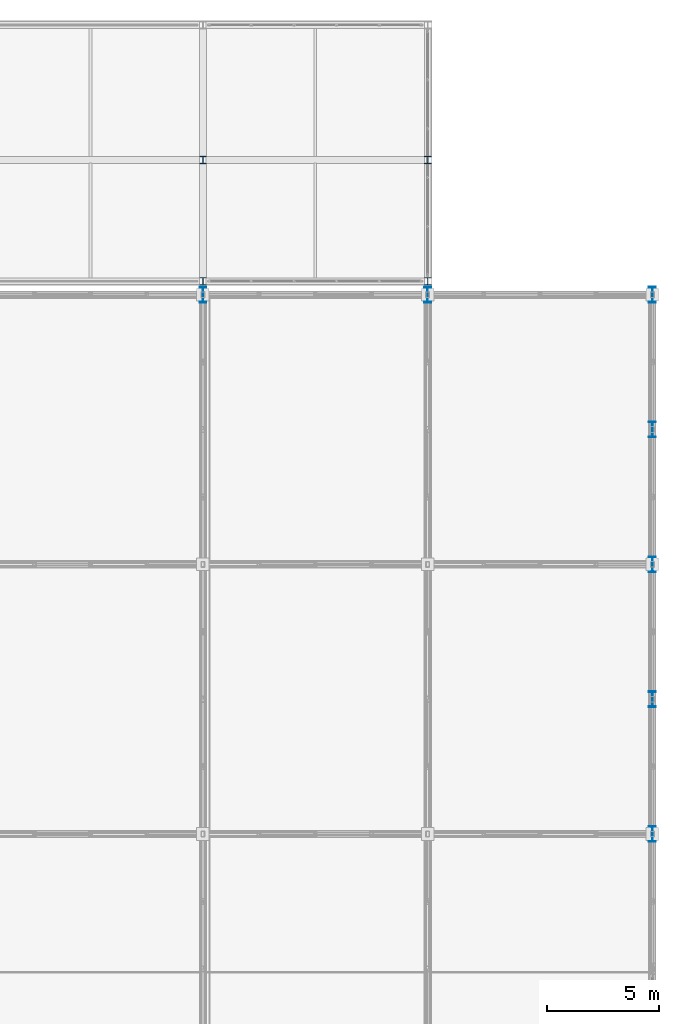
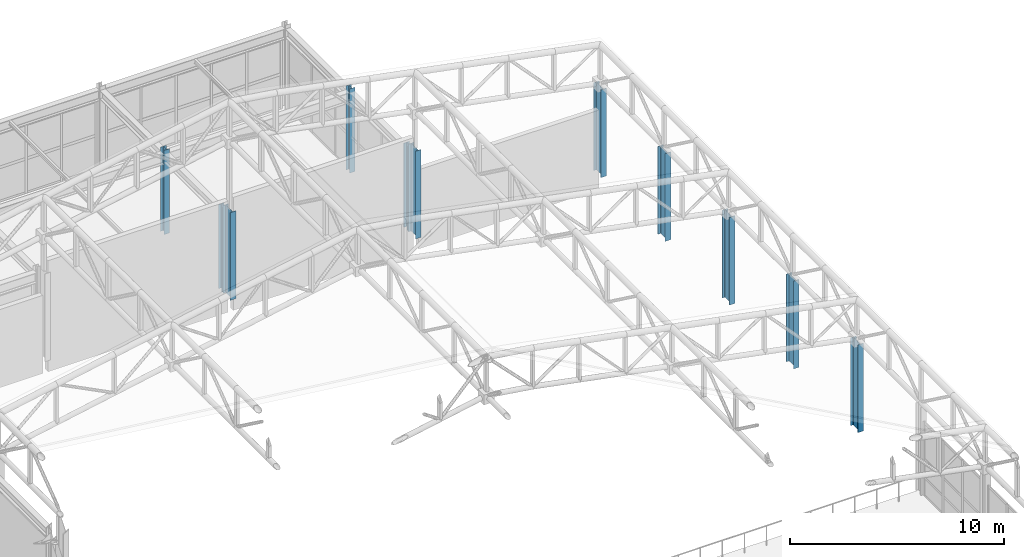
# One storey, part 8 of 112: 11 columns.
"""IFC4 building model written with IfcOpenShell, lengths in metres."""

from ifc_helpers import new_model, si_unit, direction, frame, origin, origin_2d, place, context, subcontext, project, spatial, i_section, extrude, material, material_profile, profile_set, type_object, element, save


model = new_model("IFC4")

# Units and contexts
model_context = context("Model", 3, precision=1e-05, world=origin(), true_north=direction((0.0, 1.0)))
body_context = subcontext(model_context, "Body", "Model", "MODEL_VIEW")
ifc_project = project(units=[si_unit("LENGTHUNIT", "METRE"), si_unit("AREAUNIT", "SQUARE_METRE"), si_unit("VOLUMEUNIT", "CUBIC_METRE"), si_unit("PLANEANGLEUNIT", "RADIAN"), si_unit("MASSUNIT", "GRAM", prefix="KILO")], contexts=[model_context])

# Site, building, storey
site_placement = place(None, origin())
site = spatial("IfcSite", under=ifc_project, at=site_placement, CompositionType="ELEMENT")
building_placement = place(site_placement, origin())
building = spatial("IfcBuilding", under=site, at=building_placement, Name="Kaldris Quays Convention Centre", CompositionType="ELEMENT")
storey_placement = place(building_placement, frame((0.0, 0.0, 16.800048828125)))
storey = spatial("IfcBuildingStorey", under=building, at=storey_placement, Name="L03", CompositionType="ELEMENT", Elevation=16.800048828125)

# Columns
ifc_material = material(Name="Steel S355J2", Category="steel")
ifc_material_profile_1 = material_profile(ifc_material, i_section(OverallWidth=0.300048828125, OverallDepth=0.699951171875, WebThickness=0.01708984375, FlangeThickness=0.031982421875, FilletRadius=0.027099609375, at=origin_2d()), Name="HEB 700")
ifc_profile_set_1 = profile_set([ifc_material_profile_1], Name="Steel S355J2")
column_type_1 = type_object("IfcColumnType", Name="STRUCTURAL COLUMN CL05", PredefinedType="COLUMN", material=ifc_profile_set_1)
for number, where, z_axis, x_axis, name in (
    (1, (184.0, 104.0, 0.0), (0.0, 0.0, 1.0), (1.0, 0.0, 0.0), "L03 V2 Column CL05 (184.00, 104.00)"),
    (2, (194.0, 104.0, 0.0), (0.0, 0.0, 1.0), (1.0, 0.0, 0.0), "L03 V2 Column CL05 (194.00, 104.00)"),
    (3, (204.0, 80.0, 0.0), (0.0, 0.0, 1.0), (1.0, 0.0, 0.0), "L03 V2 Column CL05 (204.00, 80.00)"),
    (4, (204.0, 86.0, 0.0), (0.0, 0.0, 1.0), (1.0, 0.0, 0.0), "L03 V2 Column CL05 (204.00, 86.00)"),
    (5, (204.0, 92.0, 0.0), (0.0, 0.0, 1.0), (1.0, 0.0, 0.0), "L03 V2 Column CL05 (204.00, 92.00)"),
    (6, (204.0, 98.0, 0.0), (0.0, 0.0, 1.0), (1.0, 0.0, 0.0), "L03 V2 Column CL05 (204.00, 98.00)"),
    (7, (204.0, 104.0, 0.0), (0.0, 0.0, 1.0), (1.0, 0.0, 0.0), "L03 V2 Column CL05 (204.00, 104.00)"),
):
    element("IfcColumn", number, at=place(storey_placement, frame(where, z_axis=z_axis, x_axis=x_axis)), inside=storey, type_object=column_type_1, Name=name, PredefinedType="COLUMN", context=body_context, shape_type="SweptSolid", body=[
        extrude(i_section(OverallWidth=0.300048828125, OverallDepth=0.699951171875, WebThickness=0.01708984375, FlangeThickness=0.031982421875, FilletRadius=0.027099609375, at=origin_2d()), origin(), (0.0, 0.0, 1.0), 5.0),
    ])
ifc_material_profile_2 = material_profile(ifc_material, i_section(OverallWidth=0.300048828125, OverallDepth=0.330078125, WebThickness=0.009521484375, FlangeThickness=0.0166015625, FilletRadius=0.027099609375, at=origin_2d()), Name="HEA 340")
ifc_profile_set_2 = profile_set([ifc_material_profile_2], Name="Steel S355J2")
column_type_2 = type_object("IfcColumnType", Name="STRUCTURAL COLUMN CL16", PredefinedType="COLUMN", material=ifc_profile_set_2)
for number, where, z_axis, x_axis, name in (
    (8, (184.0, 104.60009765625, 0.0), (0.0, 0.0, 1.0), (1.0, 0.0, 0.0), "L03 V4 Column CL16 (184.00, 104.60)"),
    (9, (184.0, 110.0, 0.0), (0.0, 0.0, 1.0), (1.0, 0.0, 0.0), "L03 V4 Column CL16 (184.00, 110.00)"),
    (10, (194.0, 104.60009765625, 0.0), (0.0, 0.0, 1.0), (1.0, 0.0, 0.0), "L03 V4 Column CL16 (194.00, 104.60)"),
    (11, (194.0, 110.0, 0.0), (0.0, 0.0, 1.0), (1.0, 0.0, 0.0), "L03 V4 Column CL16 (194.00, 110.00)"),
):
    element("IfcColumn", number, at=place(storey_placement, frame(where, z_axis=z_axis, x_axis=x_axis)), inside=storey, type_object=column_type_2, Name=name, PredefinedType="COLUMN", context=body_context, shape_type="SweptSolid", body=[
        extrude(i_section(OverallWidth=0.300048828125, OverallDepth=0.330078125, WebThickness=0.009521484375, FlangeThickness=0.0166015625, FilletRadius=0.027099609375, at=origin_2d()), origin(), (0.0, 0.0, 1.0), 4.800048828125),
    ])

save(model, "model.ifc")
